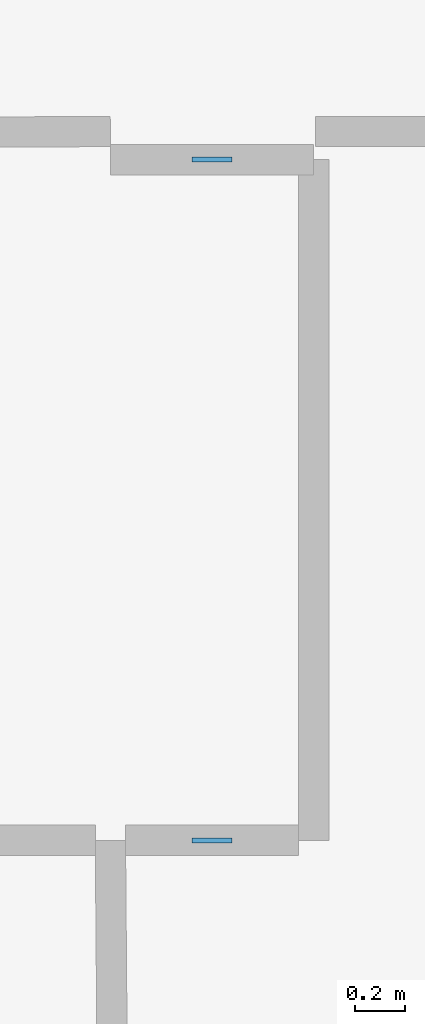
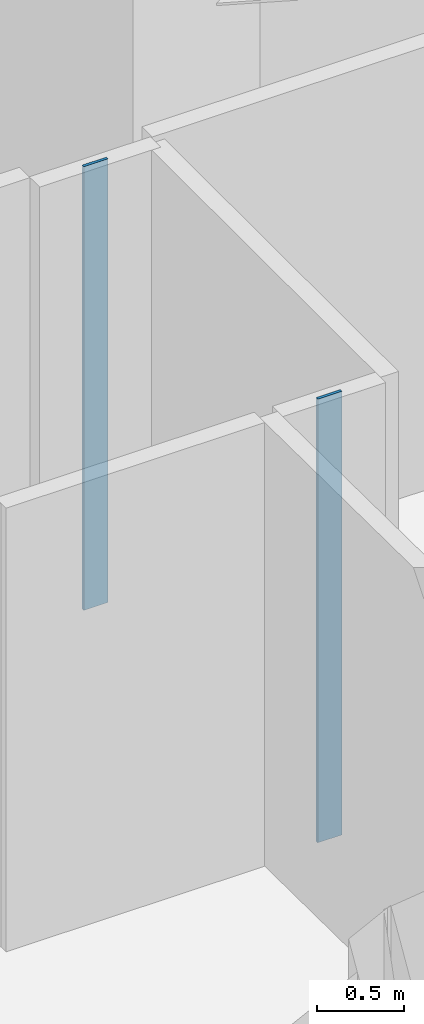
# One storey, part 2 of 15: 2 plates.
"""IFC4 building model written with IfcOpenShell, lengths in metres."""

import ifcopenshell
import ifcopenshell.guid

model = None  # the IFC model being written
_history = None  # IfcOwnerHistory: only IFC2X3 demands one
_inside = {}  # id of a spatial element -> (the spatial element, [elements in it])
_under = {}  # id of a project, library or spatial element -> (it, [spatial elements below it])
_declared = {}  # id of a project -> (the project, [libraries it declares])
_typed = {}  # id of a type object -> (the type object, [elements of that type])
_made_of = {}  # id of a material, layer set ... -> (it, [elements and type objects made of it])


def new_model(schema):
    """Start an empty IFC model of exactly this schema.

    Asked for "IFC4X3", IfcOpenShell would pick the latest addendum, in which some entities
    have other attributes; the version numbers below select the first issue.
    IFC2X3 requires an IfcOwnerHistory on every rooted entity: one is made here for all.
    """
    global model, _history
    if schema == "IFC4X3":
        model = ifcopenshell.file(schema_version=(4, 3, 0, 0))
    else:
        model = ifcopenshell.file(schema=schema)
    _inside.clear()
    _under.clear()
    _declared.clear()
    _typed.clear()
    _made_of.clear()
    _history = None
    if model.schema == "IFC2X3":
        org = make("IfcOrganization", Name="unknown")
        user = make(
            "IfcPersonAndOrganization",
            ThePerson=make("IfcPerson", FamilyName="unknown"),
            TheOrganization=org,
        )
        app = make(
            "IfcApplication",
            ApplicationDeveloper=org,
            Version="unknown",
            ApplicationFullName="unknown",
            ApplicationIdentifier="unknown",
        )
        _history = make(
            "IfcOwnerHistory",
            OwningUser=user,
            OwningApplication=app,
            ChangeAction="ADDED",
            CreationDate=0,
        )
    return model


def make(cls, **values):
    """One entity of the class cls with the attributes given. An attribute that is None is left unset."""
    return model.create_entity(
        cls, **{name: value for name, value in values.items() if value is not None}
    )


def rooted(cls, **values):
    """An entity with a GlobalId (a new one), such as an element, a storey or a relation."""
    return make(cls, GlobalId=ifcopenshell.guid.new(), OwnerHistory=_history, **values)


def si_unit(unit_type, name, prefix=None):
    """IfcSIUnit, for example si_unit("LENGTHUNIT", "METRE", prefix="MILLI")."""
    return make("IfcSIUnit", UnitType=unit_type, Prefix=prefix, Name=name)


def assignment(units):
    """IfcUnitAssignment: the units of a project."""
    return None if units is None else make("IfcUnitAssignment", Units=units)


def point(xyz):
    """IfcCartesianPoint."""
    return None if xyz is None else make("IfcCartesianPoint", Coordinates=xyz)


def direction(xyz):
    """IfcDirection."""
    return None if xyz is None else make("IfcDirection", DirectionRatios=xyz)


def frame(location, z_axis=None, x_axis=None):
    """IfcAxis2Placement3D, a coordinate frame: its origin and axes. An axis left out is left unset."""
    return make(
        "IfcAxis2Placement3D",
        Location=point(location),
        Axis=direction(z_axis),
        RefDirection=direction(x_axis),
    )


def frame_2d(location, x_axis=None):
    """IfcAxis2Placement2D, a coordinate frame in the plane: its origin and x axis."""
    return make(
        "IfcAxis2Placement2D", Location=point(location), RefDirection=direction(x_axis)
    )


def origin():
    """The frame at (0, 0, 0) with its axes left unset."""
    return frame((0.0, 0.0, 0.0))


def origin_2d():
    """The frame at (0, 0) in the plane with its x axis left unset."""
    return frame_2d((0.0, 0.0))


def place(relative_to, where):
    """IfcLocalPlacement: puts the frame where relative to a parent placement (None: the world)."""
    return make(
        "IfcLocalPlacement", PlacementRelTo=relative_to, RelativePlacement=where
    )


def context(
    kind, dimensions, precision=None, world=None, true_north=None, identifier=None
):
    """IfcGeometricRepresentationContext, for example the 3D "Model" context."""
    return make(
        "IfcGeometricRepresentationContext",
        ContextIdentifier=identifier,
        ContextType=kind,
        CoordinateSpaceDimension=dimensions,
        Precision=precision,
        WorldCoordinateSystem=world,
        TrueNorth=true_north,
    )


def subcontext(parent, identifier, kind, view, scale=None):
    """IfcGeometricRepresentationSubContext, for example "Body" below "Model"."""
    return make(
        "IfcGeometricRepresentationSubContext",
        ContextIdentifier=identifier,
        ContextType=kind,
        ParentContext=parent,
        TargetScale=scale,
        TargetView=view,
    )


def project(units=None, contexts=None):
    """IfcProject with its units and contexts."""
    return rooted(
        "IfcProject",
        Name="project",
        RepresentationContexts=contexts,
        UnitsInContext=assignment(units),
    )


def spatial(cls, under=None, at=None, **own):
    """A site, building, storey or space (cls), placed at a placement, below another one or the project."""
    s = rooted(cls, ObjectPlacement=at, **own)
    if under is not None:
        _under.setdefault(under.id(), (under, []))[1].append(s)
    return s


def profile(cls, at=None, kind="AREA", **sizes):
    """A parametric profile (cls). Its sizes go by their IFC names, for example OverallWidth=200.0."""
    return make(cls, ProfileType=kind, Position=at, **sizes)


def rectangle(**sizes):
    """IfcRectangleProfileDef."""
    return profile("IfcRectangleProfileDef", **sizes)


def extrude(swept, where, along, depth):
    """IfcExtrudedAreaSolid: the profile swept, set in the frame where, extruded along a direction by depth."""
    return make(
        "IfcExtrudedAreaSolid",
        SweptArea=swept,
        Position=where,
        ExtrudedDirection=direction(along),
        Depth=depth,
    )


def shape(context_of_items, identifier, shape_type, items):
    """IfcShapeRepresentation: the items that make up one representation, for example the "Body"."""
    return make(
        "IfcShapeRepresentation",
        ContextOfItems=context_of_items,
        RepresentationIdentifier=identifier,
        RepresentationType=shape_type,
        Items=items,
    )


def material(Name=None, Category=None):
    """IfcMaterial."""
    return make("IfcMaterial", Name=Name, Category=Category)


def layer(
    of_material, thickness, ventilated=None, Name=None, Category=None, Priority=None
):
    """IfcMaterialLayer: one layer of a wall or slab, of a material (None: an air gap)."""
    return make(
        "IfcMaterialLayer",
        Material=of_material,
        LayerThickness=thickness,
        IsVentilated=ventilated,
        Name=Name,
        Category=Category,
        Priority=Priority,
    )


def layer_set(layers, Name=None):
    """IfcMaterialLayerSet."""
    return make("IfcMaterialLayerSet", MaterialLayers=layers, LayerSetName=Name)


def made_of(thing, what):
    """Note that an element or type object is made of a material, layer set ...; save() writes the relation."""
    if what is not None:
        _made_of.setdefault(what.id(), (what, []))[1].append(thing)
    return thing


def type_object(cls, material=None, **own):
    """A type object (cls), such as IfcWallType, which elements share."""
    return made_of(rooted(cls, **own), material)


def element(
    cls,
    number,
    at=None,
    inside=None,
    cuts=None,
    type_object=None,
    material=None,
    context=None,
    identifier="Body",
    shape_type=None,
    held_by="IfcProductDefinitionShape",
    body=None,
    shapes=None,
    **own,
):
    """One element of the class cls, such as IfcWall. Its Tag is "e" and its number.

    at: its placement. inside: the storey or other place that contains it. cuts: it is an
    opening in that element (IfcRelVoidsElement). A single representation is given by context,
    identifier, shape_type and body (its items); several are given by shapes. held_by: the class
    of the entity that holds the representations. save() writes the other relations.
    """
    e = rooted(cls, Tag="e%d" % number, ObjectPlacement=at, **own)
    if body is not None:
        shapes = [shape(context, identifier, shape_type, body)]
    if shapes is not None:
        e.Representation = make(held_by, Representations=shapes)
    if inside is not None:
        _inside.setdefault(inside.id(), (inside, []))[1].append(e)
    if cuts is not None:
        rooted(
            "IfcRelVoidsElement", RelatingBuildingElement=cuts, RelatedOpeningElement=e
        )
    if type_object is not None:
        _typed.setdefault(type_object.id(), (type_object, []))[1].append(e)
    return made_of(e, material)


def aggregate(whole, parts):
    """IfcRelAggregates: a whole, such as a stair, and the parts it consists of."""
    return rooted("IfcRelAggregates", RelatingObject=whole, RelatedObjects=parts)


def save(model, path):
    """Write the relations noted so far, then the file.

    IfcRelAggregates (storeys below a building ...), IfcRelContainedInSpatialStructure (elements
    in a storey), IfcRelDefinesByType, IfcRelAssociatesMaterial and IfcRelDeclares: one each for
    every whole, place, type object, material and project.
    """
    for whole, parts in _under.values():
        aggregate(whole, parts)
    for where, things in _inside.values():
        rooted(
            "IfcRelContainedInSpatialStructure",
            RelatedElements=things,
            RelatingStructure=where,
        )
    for kind, things in _typed.values():
        rooted("IfcRelDefinesByType", RelatedObjects=things, RelatingType=kind)
    for what, things in _made_of.values():
        rooted("IfcRelAssociatesMaterial", RelatedObjects=things, RelatingMaterial=what)
    for by, libraries in _declared.values():
        rooted("IfcRelDeclares", RelatingContext=by, RelatedDefinitions=libraries)
    model.write(path)


model = new_model("IFC4")

# Units and contexts
model_context = context("Model", 3, precision=1e-05, world=origin(), true_north=direction((0.0, 1.0)))
body_context = subcontext(model_context, "Body", "Model", "MODEL_VIEW")
ifc_project = project(units=[si_unit("LENGTHUNIT", "METRE"), si_unit("AREAUNIT", "SQUARE_METRE"), si_unit("VOLUMEUNIT", "CUBIC_METRE"), si_unit("PLANEANGLEUNIT", "RADIAN"), si_unit("MASSUNIT", "GRAM", prefix="KILO")], contexts=[model_context])

# Site, building, storey
site_placement = place(None, origin())
site = spatial("IfcSite", under=ifc_project, at=site_placement, CompositionType="ELEMENT")
building_placement = place(site_placement, origin())
building = spatial("IfcBuilding", under=site, at=building_placement, Name="Miruveldt Soraemaru", CompositionType="ELEMENT")
storey_placement = place(building_placement, frame((0.0, 0.0, 32.60009765625)))
storey = spatial("IfcBuildingStorey", under=building, at=storey_placement, Name="L08", CompositionType="ELEMENT", Elevation=32.60009765625)

# Plates
ifc_material = material(Name="Anodised aluminium EN AW-6063 T6", Category="aluminium")
ifc_layer = layer(ifc_material, 0.02001953125, Name="Anodised aluminium EN AW-6063 T6", Category="aluminium")
ifc_layer_set = layer_set([ifc_layer], Name="Anodised aluminium EN AW-6063 T6")
plate_type = type_object("IfcPlateType", Name="PLT-PART-TRIM", PredefinedType="SHEET", material=ifc_layer_set)
for number, where, z_axis, x_axis, name in (
    (1, (25.281005859375, 30.837890625, 0.0), (0.0, 0.0, 1.0), (-1.0, 0.0, 0.0), "L08 Partition Step Corner Trim Plate 110"),
    (2, (25.281005859375, 28.137939453125, 0.0), (0.0, 0.0, 1.0), (1.0, 0.0, 0.0), "L08 Partition Step Corner Trim Plate 091"),
):
    element("IfcPlate", number, at=place(storey_placement, frame(where, z_axis=z_axis, x_axis=x_axis)), inside=storey, type_object=plate_type, Name=name, PredefinedType="SHEET", context=body_context, shape_type="SweptSolid", body=[
        extrude(rectangle(XDim=0.159912109375, YDim=0.02001953125, at=origin_2d()), origin(), (0.0, 0.0, 1.0), 3.125),
    ])

save(model, "model.ifc")
